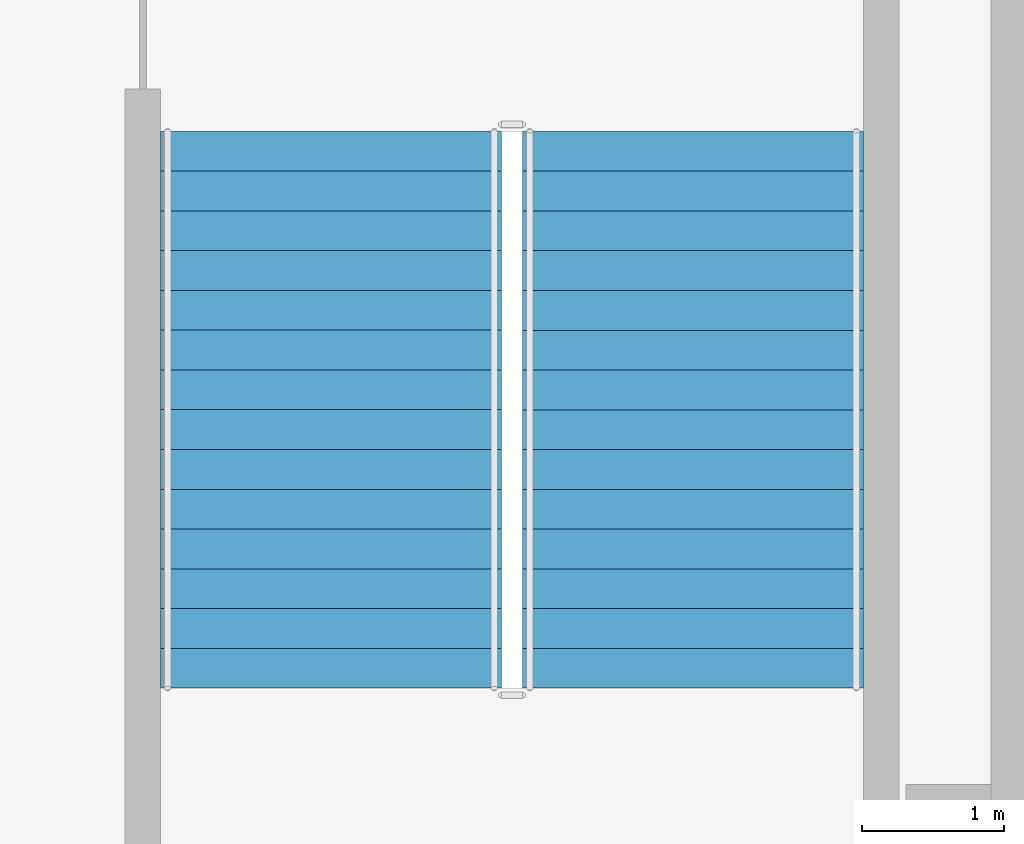
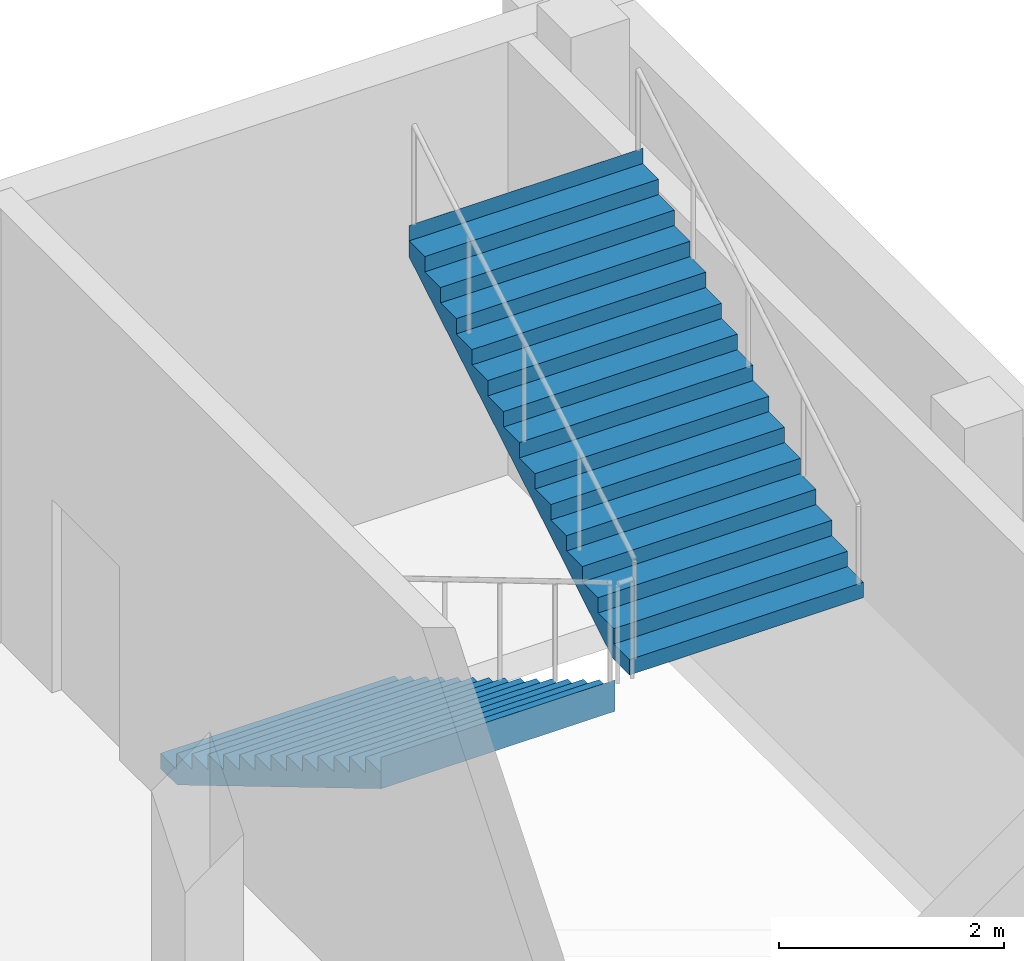
# One storey, part 20 of 32: 2 stair flights, 1 element without a shape of its own.
"""IFC4 building model written with IfcOpenShell, lengths in metres."""

from ifc_helpers import new_model, si_unit, direction, frame, origin, place, context, subcontext, project, spatial, polyline, outline, extrude, material, type_object, element, aggregate, save


model = new_model("IFC4")

# Units and contexts
model_context = context("Model", 3, precision=1e-05, world=origin(), true_north=direction((0.0, 1.0)))
body_context = subcontext(model_context, "Body", "Model", "MODEL_VIEW")
ifc_project = project(units=[si_unit("LENGTHUNIT", "METRE"), si_unit("AREAUNIT", "SQUARE_METRE"), si_unit("VOLUMEUNIT", "CUBIC_METRE"), si_unit("PLANEANGLEUNIT", "RADIAN"), si_unit("MASSUNIT", "GRAM", prefix="KILO")], contexts=[model_context])

# Site, building, storey
site_placement = place(None, origin())
site = spatial("IfcSite", under=ifc_project, at=site_placement, CompositionType="ELEMENT")
building_placement = place(site_placement, origin())
building = spatial("IfcBuilding", under=site, at=building_placement, Name="Tamorin Gate", CompositionType="ELEMENT")
storey_placement = place(building_placement, frame((0.0, 0.0, 18.5)))
storey = spatial("IfcBuildingStorey", under=building, at=storey_placement, Name="L03", CompositionType="ELEMENT", Elevation=18.5)

# Stair, stair flights
ifc_material = material(Name="Concrete C40/50", Category="concrete")
stair_type = type_object("IfcStairType", Name="Museum exit stair 2400 C40/50", PredefinedType="HALF_TURN_STAIR", material=ifc_material)
stair_placement = place(storey_placement, origin())
stair = element("IfcStair", 1, at=stair_placement, inside=storey, type_object=stair_type, Name="L03 PS9", PredefinedType="HALF_TURN_STAIR")
stair_flight_type = type_object("IfcStairFlightType", Name="Museum exit stair flight 2400 C40/50", PredefinedType="STRAIGHT", material=ifc_material)
stair_flight_1_placement = place(storey_placement, frame((205.35009765625, 95.60009765625, 0.0), z_axis=(0.0, 0.0, 1.0), x_axis=(0.0, -1.0, 0.0)))
stair_flight_1 = element("IfcStairFlight", 2, at=stair_flight_1_placement, type_object=stair_flight_type, Name="PS9 flight 1", NumberOfRisers=15, NumberOfTreads=14, PredefinedType="STRAIGHT", RiserHeight=0.166666667, TreadLength=0.28, context=body_context, shape_type="SweptSolid", body=[
    extrude(outline(polyline([(-0.00048828125, 0.0), (-0.00048828125, 0.001708984375), (-0.00048828125, 0.00341796875), (-0.00048828125, 0.0048828125), (-0.00048828125, 0.006591796875), (-0.00048828125, 0.00830078125), (-0.00048828125, 0.010009765625), (-0.00048828125, 0.011474609375), (-0.00048828125, 0.01318359375), (-0.00048828125, 0.014892578125), (-0.00048828125, 0.0166015625), (-0.00048828125, 0.01806640625), (-0.00048828125, 0.019775390625), (-0.00048828125, 0.021484375), (-0.00048828125, 0.023193359375), (-0.00048828125, 0.024658203125), (-0.00048828125, 0.0263671875), (-0.00048828125, 0.028076171875), (-0.00048828125, 0.02978515625), (-0.00048828125, 0.03125), (-0.00048828125, 0.032958984375), (-0.00048828125, 0.03466796875), (-0.00048828125, 0.036376953125), (-0.00048828125, 0.037841796875), (-0.00048828125, 0.03955078125), (-0.00048828125, 0.041259765625), (-0.00048828125, 0.04296875), (-0.00048828125, 0.04443359375), (-0.00048828125, 0.046142578125), (-0.00048828125, 0.0478515625), (-0.00048828125, 0.049560546875), (-0.00048828125, 0.05126953125), (-0.00048828125, 0.052734375), (-0.00048828125, 0.054443359375), (-0.00048828125, 0.05615234375), (-0.00048828125, 0.057861328125), (-0.00048828125, 0.059326171875), (-0.00048828125, 0.06103515625), (-0.00048828125, 0.062744140625), (-0.00048828125, 0.064453125), (-0.00048828125, 0.06591796875), (-0.00048828125, 0.067626953125), (-0.00048828125, 0.0693359375), (-0.00048828125, 0.071044921875), (-0.00048828125, 0.072509765625), (-0.00048828125, 0.07421875), (-0.00048828125, 0.075927734375), (-0.00048828125, 0.07763671875), (-0.00048828125, 0.0791015625), (-0.00048828125, 0.080810546875), (-0.00048828125, 0.08251953125), (-0.00048828125, 0.084228515625), (-0.00048828125, 0.085693359375), (-0.00048828125, 0.08740234375), (-0.00048828125, 0.089111328125), (-0.00048828125, 0.0908203125), (-0.00048828125, 0.092529296875), (-0.00048828125, 0.093994140625), (-0.00048828125, 0.095703125), (-0.00048828125, 0.097412109375), (-0.00048828125, 0.09912109375), (-0.00048828125, 0.1005859375), (-0.00048828125, 0.102294921875), (-0.00048828125, 0.10400390625), (-0.00048828125, 0.105712890625), (-0.00048828125, 0.107177734375), (-0.00048828125, 0.10888671875), (-0.00048828125, 0.110595703125), (-0.00048828125, 0.1123046875), (-0.00048828125, 0.11376953125), (-0.00048828125, 0.115478515625), (-0.00048828125, 0.1171875), (-0.00048828125, 0.118896484375), (-0.00048828125, 0.120361328125), (-0.00048828125, 0.1220703125), (-0.00048828125, 0.123779296875), (-0.00048828125, 0.12548828125), (-0.00048828125, 0.126953125), (-0.00048828125, 0.128662109375), (-0.00048828125, 0.13037109375), (-0.00048828125, 0.132080078125), (-0.00048828125, 0.133544921875), (-0.00048828125, 0.13525390625), (-0.00048828125, 0.136962890625), (-0.00048828125, 0.138671875), (-0.00048828125, 0.140380859375), (-0.00048828125, 0.141845703125), (-0.00048828125, 0.1435546875), (-0.00048828125, 0.145263671875), (-0.00048828125, 0.14697265625), (-0.00048828125, 0.1484375), (-0.00048828125, 0.150146484375), (-0.00048828125, 0.15185546875), (-0.00048828125, 0.153564453125), (-0.00048828125, 0.155029296875), (-0.00048828125, 0.15673828125), (-0.00048828125, 0.158447265625), (-0.00048828125, 0.16015625), (-0.00048828125, 0.16162109375), (-0.00048828125, 0.163330078125), (-0.00048828125, 0.1650390625), (-0.00048828125, 0.166748046875), (0.280029296875, 0.166748046875), (0.280029296875, 0.333251953125), (0.56005859375, 0.333251953125), (0.56005859375, 0.5), (0.840087890625, 0.5), (0.840087890625, 0.666748046875), (1.1201171875, 0.666748046875), (1.1201171875, 0.833251953125), (1.39990234375, 0.833251953125), (1.39990234375, 1.0), (1.679931640625, 1.0), (1.679931640625, 1.166748046875), (1.9599609375, 1.166748046875), (1.9599609375, 1.333251953125), (2.239990234375, 1.333251953125), (2.239990234375, 1.5), (2.52001953125, 1.5), (2.52001953125, 1.666748046875), (2.800048828125, 1.666748046875), (2.800048828125, 1.833251953125), (3.080078125, 1.833251953125), (3.080078125, 2.0), (3.360107421875, 2.0), (3.360107421875, 2.166748046875), (3.639892578125, 2.166748046875), (3.639892578125, 2.333251953125), (3.919921875, 2.333251953125), (3.919921875, 2.5), (3.92041015625, 2.5), (3.92041015625, 2.49658203125), (3.92041015625, 2.4931640625), (3.92041015625, 2.48974609375), (3.92041015625, 2.486572265625), (3.92041015625, 2.483154296875), (3.92041015625, 2.479736328125), (3.92041015625, 2.476318359375), (3.92041015625, 2.472900390625), (3.92041015625, 2.469482421875), (3.92041015625, 2.46630859375), (3.92041015625, 2.462890625), (3.92041015625, 2.45947265625), (3.92041015625, 2.4560546875), (3.92041015625, 2.45263671875), (3.92041015625, 2.44921875), (3.92041015625, 2.446044921875), (3.92041015625, 2.442626953125), (3.92041015625, 2.439208984375), (3.92041015625, 2.435791015625), (3.92041015625, 2.432373046875), (3.92041015625, 2.428955078125), (3.92041015625, 2.42578125), (3.92041015625, 2.42236328125), (3.92041015625, 2.4189453125), (3.92041015625, 2.41552734375), (3.92041015625, 2.412109375), (3.92041015625, 2.40869140625), (3.92041015625, 2.405517578125), (3.92041015625, 2.402099609375), (3.92041015625, 2.398681640625), (3.92041015625, 2.395263671875), (3.92041015625, 2.391845703125), (3.92041015625, 2.388427734375), (3.92041015625, 2.38525390625), (3.92041015625, 2.3818359375), (3.92041015625, 2.37841796875), (3.92041015625, 2.375), (3.92041015625, 2.37158203125), (3.92041015625, 2.3681640625), (3.92041015625, 2.364990234375), (3.92041015625, 2.361572265625), (3.92041015625, 2.358154296875), (3.92041015625, 2.354736328125), (3.92041015625, 2.351318359375), (3.92041015625, 2.347900390625), (3.92041015625, 2.3447265625), (3.92041015625, 2.34130859375), (3.92041015625, 2.337890625), (3.92041015625, 2.33447265625), (3.92041015625, 2.3310546875), (3.92041015625, 2.32763671875), (3.92041015625, 2.324462890625), (3.92041015625, 2.321044921875), (3.92041015625, 2.317626953125), (3.92041015625, 2.314208984375), (3.92041015625, 2.310791015625), (3.92041015625, 2.307373046875), (3.92041015625, 2.30419921875), (3.92041015625, 2.30078125), (3.92041015625, 2.29736328125), (3.92041015625, 2.2939453125), (3.92041015625, 2.29052734375), (3.92041015625, 2.287109375), (3.92041015625, 2.283935546875), (3.92041015625, 2.280517578125), (3.92041015625, 2.277099609375), (3.92041015625, 2.273681640625), (3.92041015625, 2.270263671875), (3.92041015625, 2.266845703125), (3.92041015625, 2.263671875), (3.92041015625, 2.26025390625), (3.92041015625, 2.2568359375), (3.92041015625, 2.25341796875), (3.92041015625, 2.25), (3.92041015625, 2.24658203125), (3.92041015625, 2.243408203125), (3.92041015625, 2.239990234375), (3.92041015625, 2.236572265625), (3.92041015625, 2.233154296875), (3.92041015625, 2.229736328125), (3.92041015625, 2.226318359375), (3.92041015625, 2.22314453125), (3.92041015625, 2.2197265625), (3.92041015625, 2.21630859375), (3.92041015625, 2.212890625), (3.92041015625, 2.20947265625), (3.92041015625, 2.2060546875), (3.92041015625, 2.202880859375), (3.92041015625, 2.199462890625), (3.92041015625, 2.196044921875), (3.92041015625, 2.192626953125), (3.92041015625, 2.189208984375), (3.92041015625, 2.185791015625), (3.92041015625, 2.1826171875), (3.92041015625, 2.17919921875), (3.92041015625, 2.17578125), (3.92041015625, 2.17236328125), (3.92041015625, 2.1689453125), (3.92041015625, 2.16552734375), (3.92041015625, 2.162353515625), (3.92041015625, 2.158935546875), (3.919921875, 2.158935546875), (0.29296875, 0.0), (-0.00048828125, 0.0)])), frame((0.0, 1.199951171875, 0.0), z_axis=(0.0, -1.0, 0.0), x_axis=(1.0, 0.0, 0.0)), (0.0, 0.0, 1.0), 2.39990234375),
])
stair_flight_2_placement = place(storey_placement, frame((207.89990234375, 91.679931640625, 2.5), z_axis=(0.0, 0.0, 1.0), x_axis=(0.0, 1.0, 0.0)))
stair_flight_2 = element("IfcStairFlight", 3, at=stair_flight_2_placement, type_object=stair_flight_type, Name="PS9 flight 2", NumberOfRisers=15, NumberOfTreads=14, PredefinedType="STRAIGHT", RiserHeight=0.166666667, TreadLength=0.28, context=body_context, shape_type="SweptSolid", body=[
    extrude(outline(polyline([(-0.00048828125, 0.0), (-0.00048828125, 0.001708984375), (-0.00048828125, 0.00341796875), (-0.00048828125, 0.0048828125), (-0.00048828125, 0.006591796875), (-0.00048828125, 0.00830078125), (-0.00048828125, 0.010009765625), (-0.00048828125, 0.011474609375), (-0.00048828125, 0.01318359375), (-0.00048828125, 0.014892578125), (-0.00048828125, 0.0166015625), (-0.00048828125, 0.01806640625), (-0.00048828125, 0.019775390625), (-0.00048828125, 0.021484375), (-0.00048828125, 0.023193359375), (-0.00048828125, 0.024658203125), (-0.00048828125, 0.0263671875), (-0.00048828125, 0.028076171875), (-0.00048828125, 0.02978515625), (-0.00048828125, 0.03125), (-0.00048828125, 0.032958984375), (-0.00048828125, 0.03466796875), (-0.00048828125, 0.036376953125), (-0.00048828125, 0.037841796875), (-0.00048828125, 0.03955078125), (-0.00048828125, 0.041259765625), (-0.00048828125, 0.04296875), (-0.00048828125, 0.04443359375), (-0.00048828125, 0.046142578125), (-0.00048828125, 0.0478515625), (-0.00048828125, 0.049560546875), (-0.00048828125, 0.05126953125), (-0.00048828125, 0.052734375), (-0.00048828125, 0.054443359375), (-0.00048828125, 0.05615234375), (-0.00048828125, 0.057861328125), (-0.00048828125, 0.059326171875), (-0.00048828125, 0.06103515625), (-0.00048828125, 0.062744140625), (-0.00048828125, 0.064453125), (-0.00048828125, 0.06591796875), (-0.00048828125, 0.067626953125), (-0.00048828125, 0.0693359375), (-0.00048828125, 0.071044921875), (-0.00048828125, 0.072509765625), (-0.00048828125, 0.07421875), (-0.00048828125, 0.075927734375), (-0.00048828125, 0.07763671875), (-0.00048828125, 0.0791015625), (-0.00048828125, 0.080810546875), (-0.00048828125, 0.08251953125), (-0.00048828125, 0.084228515625), (-0.00048828125, 0.085693359375), (-0.00048828125, 0.08740234375), (-0.00048828125, 0.089111328125), (-0.00048828125, 0.0908203125), (-0.00048828125, 0.092529296875), (-0.00048828125, 0.093994140625), (-0.00048828125, 0.095703125), (-0.00048828125, 0.097412109375), (-0.00048828125, 0.09912109375), (-0.00048828125, 0.1005859375), (-0.00048828125, 0.102294921875), (-0.00048828125, 0.10400390625), (-0.00048828125, 0.105712890625), (-0.00048828125, 0.107177734375), (-0.00048828125, 0.10888671875), (-0.00048828125, 0.110595703125), (-0.00048828125, 0.1123046875), (-0.00048828125, 0.11376953125), (-0.00048828125, 0.115478515625), (-0.00048828125, 0.1171875), (-0.00048828125, 0.118896484375), (-0.00048828125, 0.120361328125), (-0.00048828125, 0.1220703125), (-0.00048828125, 0.123779296875), (-0.00048828125, 0.12548828125), (-0.00048828125, 0.126953125), (-0.00048828125, 0.128662109375), (-0.00048828125, 0.13037109375), (-0.00048828125, 0.132080078125), (-0.00048828125, 0.133544921875), (-0.00048828125, 0.13525390625), (-0.00048828125, 0.136962890625), (-0.00048828125, 0.138671875), (-0.00048828125, 0.140380859375), (-0.00048828125, 0.141845703125), (-0.00048828125, 0.1435546875), (-0.00048828125, 0.145263671875), (-0.00048828125, 0.14697265625), (-0.00048828125, 0.1484375), (-0.00048828125, 0.150146484375), (-0.00048828125, 0.15185546875), (-0.00048828125, 0.153564453125), (-0.00048828125, 0.155029296875), (-0.00048828125, 0.15673828125), (-0.00048828125, 0.158447265625), (-0.00048828125, 0.16015625), (-0.00048828125, 0.16162109375), (-0.00048828125, 0.163330078125), (-0.00048828125, 0.1650390625), (-0.00048828125, 0.166748046875), (0.280029296875, 0.166748046875), (0.280029296875, 0.333251953125), (0.56005859375, 0.333251953125), (0.56005859375, 0.5), (0.840087890625, 0.5), (0.840087890625, 0.666748046875), (1.1201171875, 0.666748046875), (1.1201171875, 0.833251953125), (1.39990234375, 0.833251953125), (1.39990234375, 1.0), (1.679931640625, 1.0), (1.679931640625, 1.166748046875), (1.9599609375, 1.166748046875), (1.9599609375, 1.333251953125), (2.239990234375, 1.333251953125), (2.239990234375, 1.5), (2.52001953125, 1.5), (2.52001953125, 1.666748046875), (2.800048828125, 1.666748046875), (2.800048828125, 1.833251953125), (3.080078125, 1.833251953125), (3.080078125, 2.0), (3.360107421875, 2.0), (3.360107421875, 2.166748046875), (3.639892578125, 2.166748046875), (3.639892578125, 2.333251953125), (3.919921875, 2.333251953125), (3.919921875, 2.5), (3.92041015625, 2.5), (3.92041015625, 2.49658203125), (3.92041015625, 2.4931640625), (3.92041015625, 2.48974609375), (3.92041015625, 2.486572265625), (3.92041015625, 2.483154296875), (3.92041015625, 2.479736328125), (3.92041015625, 2.476318359375), (3.92041015625, 2.472900390625), (3.92041015625, 2.469482421875), (3.92041015625, 2.46630859375), (3.92041015625, 2.462890625), (3.92041015625, 2.45947265625), (3.92041015625, 2.4560546875), (3.92041015625, 2.45263671875), (3.92041015625, 2.44921875), (3.92041015625, 2.446044921875), (3.92041015625, 2.442626953125), (3.92041015625, 2.439208984375), (3.92041015625, 2.435791015625), (3.92041015625, 2.432373046875), (3.92041015625, 2.428955078125), (3.92041015625, 2.42578125), (3.92041015625, 2.42236328125), (3.92041015625, 2.4189453125), (3.92041015625, 2.41552734375), (3.92041015625, 2.412109375), (3.92041015625, 2.40869140625), (3.92041015625, 2.405517578125), (3.92041015625, 2.402099609375), (3.92041015625, 2.398681640625), (3.92041015625, 2.395263671875), (3.92041015625, 2.391845703125), (3.92041015625, 2.388427734375), (3.92041015625, 2.38525390625), (3.92041015625, 2.3818359375), (3.92041015625, 2.37841796875), (3.92041015625, 2.375), (3.92041015625, 2.37158203125), (3.92041015625, 2.3681640625), (3.92041015625, 2.364990234375), (3.92041015625, 2.361572265625), (3.92041015625, 2.358154296875), (3.92041015625, 2.354736328125), (3.92041015625, 2.351318359375), (3.92041015625, 2.347900390625), (3.92041015625, 2.3447265625), (3.92041015625, 2.34130859375), (3.92041015625, 2.337890625), (3.92041015625, 2.33447265625), (3.92041015625, 2.3310546875), (3.92041015625, 2.32763671875), (3.92041015625, 2.324462890625), (3.92041015625, 2.321044921875), (3.92041015625, 2.317626953125), (3.92041015625, 2.314208984375), (3.92041015625, 2.310791015625), (3.92041015625, 2.307373046875), (3.92041015625, 2.30419921875), (3.92041015625, 2.30078125), (3.92041015625, 2.29736328125), (3.92041015625, 2.2939453125), (3.92041015625, 2.29052734375), (3.92041015625, 2.287109375), (3.92041015625, 2.283935546875), (3.92041015625, 2.280517578125), (3.92041015625, 2.277099609375), (3.92041015625, 2.273681640625), (3.92041015625, 2.270263671875), (3.92041015625, 2.266845703125), (3.92041015625, 2.263671875), (3.92041015625, 2.26025390625), (3.92041015625, 2.2568359375), (3.92041015625, 2.25341796875), (3.92041015625, 2.25), (3.92041015625, 2.24658203125), (3.92041015625, 2.243408203125), (3.92041015625, 2.239990234375), (3.92041015625, 2.236572265625), (3.92041015625, 2.233154296875), (3.92041015625, 2.229736328125), (3.92041015625, 2.226318359375), (3.92041015625, 2.22314453125), (3.92041015625, 2.2197265625), (3.92041015625, 2.21630859375), (3.92041015625, 2.212890625), (3.92041015625, 2.20947265625), (3.92041015625, 2.2060546875), (3.92041015625, 2.202880859375), (3.92041015625, 2.199462890625), (3.92041015625, 2.196044921875), (3.92041015625, 2.192626953125), (3.92041015625, 2.189208984375), (3.92041015625, 2.185791015625), (3.92041015625, 2.1826171875), (3.92041015625, 2.17919921875), (3.92041015625, 2.17578125), (3.92041015625, 2.17236328125), (3.92041015625, 2.1689453125), (3.92041015625, 2.16552734375), (3.92041015625, 2.162353515625), (3.92041015625, 2.158935546875), (3.919921875, 2.158935546875), (0.29296875, 0.0), (-0.00048828125, 0.0)])), frame((0.0, 1.199951171875, 0.0), z_axis=(0.0, -1.0, 0.0), x_axis=(1.0, 0.0, 0.0)), (0.0, 0.0, 1.0), 2.39990234375),
])
aggregate(stair, [stair_flight_1, stair_flight_2])

save(model, "model.ifc")
